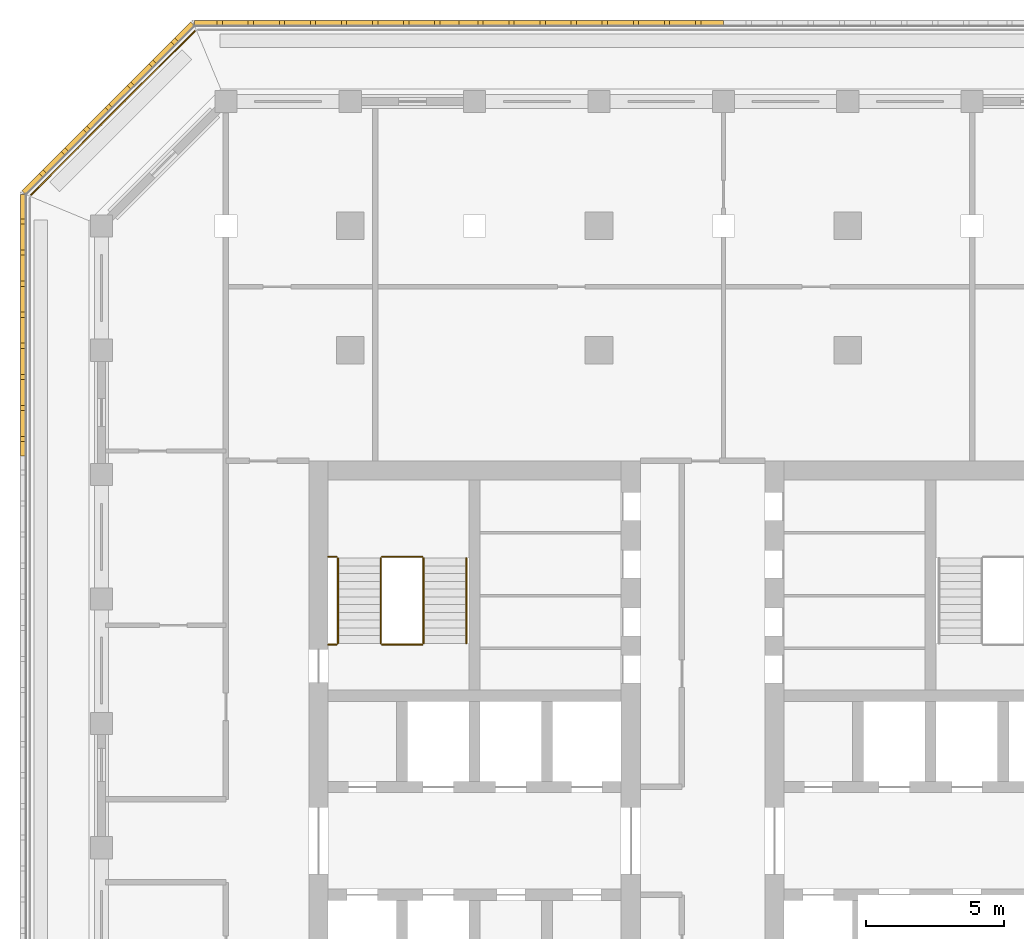
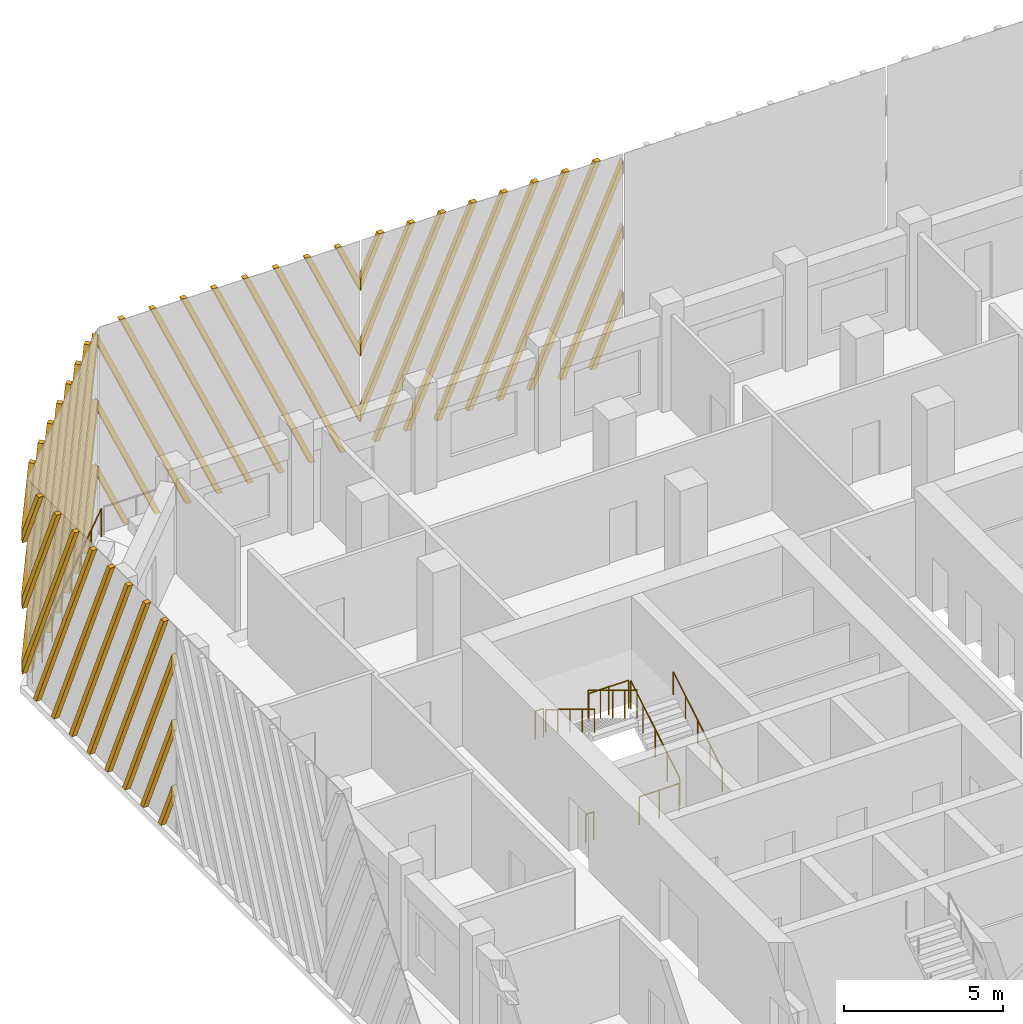
# One storey, part 14 of 17: 9 railings, 4 shading devices.
"""IFC4 building model written with IfcOpenShell, lengths in metres."""

from ifc_helpers import new_model, si_unit, direction, frame, origin, origin_2d, place, context, subcontext, project, spatial, polyline, circle, outline, extrude, source, transform, mapped, material, type_object, element, save


model = new_model("IFC4")

# Units and contexts
model_context = context("Model", 3, precision=1e-05, world=origin(), true_north=direction((0.0, 1.0)))
body_context = subcontext(model_context, "Body", "Model", "MODEL_VIEW")
ifc_project = project(units=[si_unit("LENGTHUNIT", "METRE"), si_unit("AREAUNIT", "SQUARE_METRE"), si_unit("VOLUMEUNIT", "CUBIC_METRE"), si_unit("PLANEANGLEUNIT", "RADIAN"), si_unit("MASSUNIT", "GRAM", prefix="KILO")], contexts=[model_context])

# Site, building, storey
site_placement = place(None, origin())
site = spatial("IfcSite", under=ifc_project, at=site_placement, CompositionType="ELEMENT")
building_placement = place(site_placement, origin())
building = spatial("IfcBuilding", under=site, at=building_placement, Name="Corbel Stack Research Tower", CompositionType="ELEMENT")
storey_placement = place(building_placement, frame((0.0, 0.0, 231.60009765625)))
storey = spatial("IfcBuildingStorey", under=building, at=storey_placement, Name="L52", CompositionType="ELEMENT", Elevation=231.60009765625)

# Railings
ifc_material_1 = material(Name="Steel S355", Category="steel")
railing_type_1 = type_object("IfcRailingType", Name="Stair guard 1100", PredefinedType="GUARDRAIL", material=ifc_material_1)
railing_1_placement = place(storey_placement, frame((-6.35009765625, 11.89990234375, 0.170654296875)))
element("IfcRailing", 1, at=railing_1_placement, inside=storey, type_object=railing_type_1, Name="L52 ST-W2 stair guard 1", PredefinedType="GUARDRAIL", context=body_context, shape_type="SweptSolid", body=[
    extrude(circle(Radius=0.02392578125, at=origin_2d()), frame((0.0, 0.0, 1.076171875), z_axis=(0.0, 0.853666305674, 0.52082035152), x_axis=(-1.0, 0.0, 0.0)), (0.0, 0.0, 1.0), 3.608154296875),
    extrude(circle(Radius=0.02099609375, at=origin_2d()), origin(), (0.0, 0.0, 1.0), 1.052001953125),
    extrude(circle(Radius=0.02099609375, at=origin_2d()), frame((0.0, 0.77001953125, 0.4697265625)), (0.0, 0.0, 1.0), 1.052001953125),
    extrude(circle(Radius=0.02099609375, at=origin_2d()), frame((0.0, 1.5400390625, 0.939453125)), (0.0, 0.0, 1.0), 1.052001953125),
    extrude(circle(Radius=0.02099609375, at=origin_2d()), frame((0.0, 2.31005859375, 1.409423828125)), (0.0, 0.0, 1.0), 1.052001953125),
    extrude(circle(Radius=0.02099609375, at=origin_2d()), frame((0.0, 3.080078125, 1.879150390625)), (0.0, 0.0, 1.0), 1.052001953125),
])
railing_2_placement = place(storey_placement, frame((-6.39990234375, 15.030029296875, 2.0498046875)))
element("IfcRailing", 2, at=railing_2_placement, inside=storey, type_object=railing_type_1, Name="L52 ST-W2 stair guard 2", PredefinedType="GUARDRAIL", context=body_context, shape_type="SweptSolid", body=[
    extrude(circle(Radius=0.02392578125, at=origin_2d()), frame((0.0, 0.0, 1.076171875), z_axis=(-1.0, 0.0, 0.0), x_axis=(0.0, -1.0, 0.0)), (0.0, 0.0, 1.0), 1.4501953125),
    extrude(circle(Radius=0.02099609375, at=origin_2d()), origin(), (0.0, 0.0, 1.0), 1.052001953125),
    extrude(circle(Radius=0.02099609375, at=origin_2d()), frame((-0.72509765625, 0.0, 0.0)), (0.0, 0.0, 1.0), 1.052001953125),
    extrude(circle(Radius=0.02099609375, at=origin_2d()), frame((-1.4501953125, 0.0, 0.0)), (0.0, 0.0, 1.0), 1.052001953125),
])
railing_3_placement = place(storey_placement, frame((-9.5, 15.030029296875, 2.0498046875)))
element("IfcRailing", 3, at=railing_3_placement, inside=storey, type_object=railing_type_1, Name="L52 ST-W2 stair guard 3", PredefinedType="GUARDRAIL", context=body_context, shape_type="SweptSolid", body=[
    extrude(circle(Radius=0.02392578125, at=origin_2d()), frame((0.0, 0.0, 1.076171875), z_axis=(-1.0, 0.0, 0.0), x_axis=(0.0, -1.0, 0.0)), (0.0, 0.0, 1.0), 0.300048828125),
    extrude(circle(Radius=0.02099609375, at=origin_2d()), origin(), (0.0, 0.0, 1.0), 1.052001953125),
    extrude(circle(Radius=0.02099609375, at=origin_2d()), frame((-0.300048828125, 0.0, 0.0)), (0.0, 0.0, 1.0), 1.052001953125),
])
railing_4_placement = place(storey_placement, frame((-7.89990234375, 14.97998046875, 2.220703125)))
element("IfcRailing", 4, at=railing_4_placement, inside=storey, type_object=railing_type_1, Name="L52 ST-W2 stair guard 4", PredefinedType="GUARDRAIL", context=body_context, shape_type="SweptSolid", body=[
    extrude(circle(Radius=0.02392578125, at=origin_2d()), frame((0.0, 0.0, 1.076171875), z_axis=(0.0, -0.853666305674, 0.52082035152), x_axis=(1.0, 0.0, 0.0)), (0.0, 0.0, 1.0), 3.608154296875),
    extrude(circle(Radius=0.02099609375, at=origin_2d()), origin(), (0.0, 0.0, 1.0), 1.052001953125),
    extrude(circle(Radius=0.02099609375, at=origin_2d()), frame((0.0, -0.77001953125, 0.4697265625)), (0.0, 0.0, 1.0), 1.052001953125),
    extrude(circle(Radius=0.02099609375, at=origin_2d()), frame((0.0, -1.5400390625, 0.939453125)), (0.0, 0.0, 1.0), 1.052001953125),
    extrude(circle(Radius=0.02099609375, at=origin_2d()), frame((0.0, -2.31005859375, 1.409423828125)), (0.0, 0.0, 1.0), 1.052001953125),
    extrude(circle(Radius=0.02099609375, at=origin_2d()), frame((0.0, -3.080078125, 1.879150390625)), (0.0, 0.0, 1.0), 1.052001953125),
])
railing_5_placement = place(storey_placement, frame((-6.39990234375, 11.85009765625, 0.0)))
element("IfcRailing", 5, at=railing_5_placement, inside=storey, type_object=railing_type_1, Name="L52 ST-W2 stair guard 5", PredefinedType="GUARDRAIL", context=body_context, shape_type="SweptSolid", body=[
    extrude(circle(Radius=0.02392578125, at=origin_2d()), frame((0.0, 0.0, 1.076171875), z_axis=(-1.0, 0.0, 0.0), x_axis=(0.0, -1.0, 0.0)), (0.0, 0.0, 1.0), 1.4501953125),
    extrude(circle(Radius=0.02099609375, at=origin_2d()), origin(), (0.0, 0.0, 1.0), 1.052001953125),
    extrude(circle(Radius=0.02099609375, at=origin_2d()), frame((-0.72509765625, 0.0, 0.0)), (0.0, 0.0, 1.0), 1.052001953125),
    extrude(circle(Radius=0.02099609375, at=origin_2d()), frame((-1.4501953125, 0.0, 0.0)), (0.0, 0.0, 1.0), 1.052001953125),
])
railing_6_placement = place(storey_placement, frame((-9.5, 11.85009765625, 0.0)))
element("IfcRailing", 6, at=railing_6_placement, inside=storey, type_object=railing_type_1, Name="L52 ST-W2 stair guard 6", PredefinedType="GUARDRAIL", context=body_context, shape_type="SweptSolid", body=[
    extrude(circle(Radius=0.02392578125, at=origin_2d()), frame((0.0, 0.0, 1.076171875), z_axis=(-1.0, 0.0, 0.0), x_axis=(0.0, -1.0, 0.0)), (0.0, 0.0, 1.0), 0.300048828125),
    extrude(circle(Radius=0.02099609375, at=origin_2d()), origin(), (0.0, 0.0, 1.0), 1.052001953125),
    extrude(circle(Radius=0.02099609375, at=origin_2d()), frame((-0.300048828125, 0.0, 0.0)), (0.0, 0.0, 1.0), 1.052001953125),
])
ifc_material_2 = material(Name="Steel S355", Category="steel")
railing_type_2 = type_object("IfcRailingType", Name="Stair handrail 900", PredefinedType="HANDRAIL", material=ifc_material_2)
railing_7_placement = place(storey_placement, frame((-4.800048828125, 11.89990234375, 0.170654296875)))
element("IfcRailing", 7, at=railing_7_placement, inside=storey, type_object=railing_type_2, Name="L52 ST-W2 stair handrail 1", PredefinedType="HANDRAIL", context=body_context, shape_type="SweptSolid", body=[
    extrude(circle(Radius=0.02392578125, at=origin_2d()), frame((0.0, 0.0, 0.8759765625), z_axis=(0.0, 0.853666305674, 0.52082035152), x_axis=(-1.0, 0.0, 0.0)), (0.0, 0.0, 1.0), 3.608154296875),
    extrude(circle(Radius=0.02099609375, at=origin_2d()), origin(), (0.0, 0.0, 1.0), 0.851806640625),
    extrude(circle(Radius=0.02099609375, at=origin_2d()), frame((0.0, 0.77001953125, 0.4697265625)), (0.0, 0.0, 1.0), 0.851806640625),
    extrude(circle(Radius=0.02099609375, at=origin_2d()), frame((0.0, 1.5400390625, 0.939453125)), (0.0, 0.0, 1.0), 0.851806640625),
    extrude(circle(Radius=0.02099609375, at=origin_2d()), frame((0.0, 2.31005859375, 1.409423828125)), (0.0, 0.0, 1.0), 0.851806640625),
    extrude(circle(Radius=0.02099609375, at=origin_2d()), frame((0.0, 3.080078125, 1.879150390625)), (0.0, 0.0, 1.0), 0.851806640625),
])
railing_8_placement = place(storey_placement, frame((-9.449951171875, 14.97998046875, 2.220703125)))
element("IfcRailing", 8, at=railing_8_placement, inside=storey, type_object=railing_type_2, Name="L52 ST-W2 stair handrail 2", PredefinedType="HANDRAIL", context=body_context, shape_type="SweptSolid", body=[
    extrude(circle(Radius=0.02392578125, at=origin_2d()), frame((0.0, 0.0, 0.8759765625), z_axis=(0.0, -0.853666305674, 0.52082035152), x_axis=(1.0, 0.0, 0.0)), (0.0, 0.0, 1.0), 3.608154296875),
    extrude(circle(Radius=0.02099609375, at=origin_2d()), origin(), (0.0, 0.0, 1.0), 0.851806640625),
    extrude(circle(Radius=0.02099609375, at=origin_2d()), frame((0.0, -0.77001953125, 0.4697265625)), (0.0, 0.0, 1.0), 0.851806640625),
    extrude(circle(Radius=0.02099609375, at=origin_2d()), frame((0.0, -1.5400390625, 0.939453125)), (0.0, 0.0, 1.0), 0.851806640625),
    extrude(circle(Radius=0.02099609375, at=origin_2d()), frame((0.0, -2.31005859375, 1.409423828125)), (0.0, 0.0, 1.0), 0.851806640625),
    extrude(circle(Radius=0.02099609375, at=origin_2d()), frame((0.0, -3.080078125, 1.879150390625)), (0.0, 0.0, 1.0), 0.851806640625),
])
ifc_material_3 = material(Name="Powder-coated steel guard", Category="steel")
railing_type_3 = type_object("IfcRailingType", Name="Steel and glass guard 1100", PredefinedType="GUARDRAIL", material=ifc_material_3)
railing_9_placement = place(storey_placement, frame((-14.627685546875, 34.04931640625, 0.0)))
element("IfcRailing", 9, at=railing_9_placement, inside=storey, type_object=railing_type_3, Name="Loggia guard L52 NW", PredefinedType="GUARDRAIL", context=body_context, shape_type="SweptSolid", body=[
    extrude(circle(Radius=0.02392578125, at=origin_2d()), frame((0.0, 0.0, 1.076171875), z_axis=(-0.707106781187, -0.707106781187, 0.0), x_axis=(0.707106781187, -0.707106781187, 0.0)), (0.0, 0.0, 1.0), 8.37451171875),
    extrude(circle(Radius=0.02099609375, at=origin_2d()), origin(), (0.0, 0.0, 1.0), 1.052001953125),
    extrude(circle(Radius=0.02099609375, at=origin_2d()), frame((-0.845947265625, -0.845947265625, 0.0)), (0.0, 0.0, 1.0), 1.052001953125),
    extrude(circle(Radius=0.02099609375, at=origin_2d()), frame((-1.69189453125, -1.69189453125, 0.0)), (0.0, 0.0, 1.0), 1.052001953125),
    extrude(circle(Radius=0.02099609375, at=origin_2d()), frame((-2.537841796875, -2.537841796875, 0.0)), (0.0, 0.0, 1.0), 1.052001953125),
    extrude(circle(Radius=0.02099609375, at=origin_2d()), frame((-3.3837890625, -3.3837890625, 0.0)), (0.0, 0.0, 1.0), 1.052001953125),
    extrude(circle(Radius=0.02099609375, at=origin_2d()), frame((-4.229736328125, -4.229736328125, 0.0)), (0.0, 0.0, 1.0), 1.052001953125),
    extrude(circle(Radius=0.02099609375, at=origin_2d()), frame((-5.07568359375, -5.07568359375, 0.0)), (0.0, 0.0, 1.0), 1.052001953125),
    extrude(circle(Radius=0.02099609375, at=origin_2d()), frame((-5.921630859375, -5.921630859375, 0.0)), (0.0, 0.0, 1.0), 1.052001953125),
])

# Shading devices
ifc_material_4 = material(Name="Precast terracotta", Category="masonry")
shading_device_type = type_object("IfcShadingDeviceType", Name="Terracotta screen panel", PredefinedType="USERDEFINED", material=ifc_material_4)
shared_shape_1 = source(origin(), body_context, "Body", "SweptSolid", [
    extrude(outline(polyline([(1.072998046875, 7.949951171875), (0.883056640625, 7.949951171875), (0.0, 5.966552734375), (0.0, 5.539794921875), (1.072998046875, 7.949951171875)])), frame((0.0, 0.0, 0.0), z_axis=(0.0, -1.0, 0.0), x_axis=(1.0, 0.0, 0.0)), (0.0, 0.0, 1.0), 0.179931640625),
    extrude(outline(polyline([(2.197998046875, 7.949951171875), (2.008056640625, 7.949951171875), (0.0, 3.439697265625), (0.0, 3.01318359375), (2.197998046875, 7.949951171875)])), frame((0.0, 0.0, 0.0), z_axis=(0.0, -1.0, 0.0), x_axis=(1.0, 0.0, 0.0)), (0.0, 0.0, 1.0), 0.179931640625),
    extrude(outline(polyline([(3.322998046875, 7.949951171875), (3.133056640625, 7.949951171875), (0.0, 0.9130859375), (0.0, 0.486328125), (3.322998046875, 7.949951171875)])), frame((0.0, 0.0, 0.0), z_axis=(0.0, -1.0, 0.0), x_axis=(1.0, 0.0, 0.0)), (0.0, 0.0, 1.0), 0.179931640625),
    extrude(outline(polyline([(0.908447265625, 0.0), (4.447998046875, 7.949951171875), (4.258056640625, 7.949951171875), (0.718505859375, 0.0), (0.908447265625, 0.0)])), frame((0.0, 0.0, 0.0), z_axis=(0.0, -1.0, 0.0), x_axis=(1.0, 0.0, 0.0)), (0.0, 0.0, 1.0), 0.179931640625),
    extrude(outline(polyline([(2.033447265625, 0.0), (5.572998046875, 7.949951171875), (5.383056640625, 7.949951171875), (1.843505859375, 0.0), (2.033447265625, 0.0)])), frame((0.0, 0.0, 0.0), z_axis=(0.0, -1.0, 0.0), x_axis=(1.0, 0.0, 0.0)), (0.0, 0.0, 1.0), 0.179931640625),
    extrude(outline(polyline([(3.158447265625, 0.0), (6.697998046875, 7.949951171875), (6.508056640625, 7.949951171875), (2.968505859375, 0.0), (3.158447265625, 0.0)])), frame((0.0, 0.0, 0.0), z_axis=(0.0, -1.0, 0.0), x_axis=(1.0, 0.0, 0.0)), (0.0, 0.0, 1.0), 0.179931640625),
    extrude(outline(polyline([(4.283447265625, 0.0), (7.822998046875, 7.949951171875), (7.633056640625, 7.949951171875), (4.093505859375, 0.0), (4.283447265625, 0.0)])), frame((0.0, 0.0, 0.0), z_axis=(0.0, -1.0, 0.0), x_axis=(1.0, 0.0, 0.0)), (0.0, 0.0, 1.0), 0.179931640625),
    extrude(outline(polyline([(5.408447265625, 0.0), (8.947998046875, 7.949951171875), (8.758056640625, 7.949951171875), (5.218505859375, 0.0), (5.408447265625, 0.0)])), frame((0.0, 0.0, 0.0), z_axis=(0.0, -1.0, 0.0), x_axis=(1.0, 0.0, 0.0)), (0.0, 0.0, 1.0), 0.179931640625),
    extrude(outline(polyline([(6.533447265625, 0.0), (9.45556640625, 6.563232421875), (9.45556640625, 6.989990234375), (6.343505859375, 0.0), (6.533447265625, 0.0)])), frame((0.0, 0.0, 0.0), z_axis=(0.0, -1.0, 0.0), x_axis=(1.0, 0.0, 0.0)), (0.0, 0.0, 1.0), 0.179931640625),
    extrude(outline(polyline([(7.658447265625, 0.0), (9.45556640625, 4.036376953125), (9.45556640625, 4.463134765625), (7.468505859375, 0.0), (7.658447265625, 0.0)])), frame((0.0, 0.0, 0.0), z_axis=(0.0, -1.0, 0.0), x_axis=(1.0, 0.0, 0.0)), (0.0, 0.0, 1.0), 0.179931640625),
    extrude(outline(polyline([(8.783447265625, 0.0), (9.45556640625, 1.509521484375), (9.45556640625, 1.936279296875), (8.593505859375, 0.0), (8.783447265625, 0.0)])), frame((0.0, 0.0, 0.0), z_axis=(0.0, -1.0, 0.0), x_axis=(1.0, 0.0, 0.0)), (0.0, 0.0, 1.0), 0.179931640625),
])
shading_device_1_placement = place(storey_placement, frame((-20.75, 28.13916015625, 0.0), z_axis=(0.0, 0.0, 1.0), x_axis=(0.0, -1.0, 0.0)))
element("IfcShadingDevice", 10, at=shading_device_1_placement, inside=storey, type_object=shading_device_type, Name="Terracotta screen L52 W1", ObjectType="SCREEN", PredefinedType="USERDEFINED", context=body_context, shape_type="MappedRepresentation", body=[
    mapped(shared_shape_1, transform((0.0, 0.0, 0.0))),
])
shared_shape_2 = source(origin(), body_context, "Body", "SweptSolid", [
    extrude(outline(polyline([(1.173583984375, 0.0), (0.0, 2.635986328125), (0.0, 2.209228515625), (0.983642578125, 0.0), (1.173583984375, 0.0)])), frame((0.0, 0.0, 0.0), z_axis=(0.0, -1.0, 0.0), x_axis=(1.0, 0.0, 0.0)), (0.0, 0.0, 1.0), 0.179931640625),
    extrude(outline(polyline([(2.298583984375, 0.0), (0.0, 5.162841796875), (0.0, 4.736083984375), (2.108642578125, 0.0), (2.298583984375, 0.0)])), frame((0.0, 0.0, 0.0), z_axis=(0.0, -1.0, 0.0), x_axis=(1.0, 0.0, 0.0)), (0.0, 0.0, 1.0), 0.179931640625),
    extrude(outline(polyline([(3.423583984375, 0.0), (0.0, 7.689697265625), (0.0, 7.262939453125), (3.233642578125, 0.0), (3.423583984375, 0.0)])), frame((0.0, 0.0, 0.0), z_axis=(0.0, -1.0, 0.0), x_axis=(1.0, 0.0, 0.0)), (0.0, 0.0, 1.0), 0.179931640625),
    extrude(outline(polyline([(4.548583984375, 0.0), (1.009033203125, 7.949951171875), (0.819091796875, 7.949951171875), (4.358642578125, 0.0), (4.548583984375, 0.0)])), frame((0.0, 0.0, 0.0), z_axis=(0.0, -1.0, 0.0), x_axis=(1.0, 0.0, 0.0)), (0.0, 0.0, 1.0), 0.179931640625),
    extrude(outline(polyline([(5.673583984375, 0.0), (2.134033203125, 7.949951171875), (1.944091796875, 7.949951171875), (5.483642578125, 0.0), (5.673583984375, 0.0)])), frame((0.0, 0.0, 0.0), z_axis=(0.0, -1.0, 0.0), x_axis=(1.0, 0.0, 0.0)), (0.0, 0.0, 1.0), 0.179931640625),
    extrude(outline(polyline([(6.798583984375, 0.0), (3.259033203125, 7.949951171875), (3.069091796875, 7.949951171875), (6.608642578125, 0.0), (6.798583984375, 0.0)])), frame((0.0, 0.0, 0.0), z_axis=(0.0, -1.0, 0.0), x_axis=(1.0, 0.0, 0.0)), (0.0, 0.0, 1.0), 0.179931640625),
    extrude(outline(polyline([(7.923583984375, 0.0), (4.384033203125, 7.949951171875), (4.194091796875, 7.949951171875), (7.733642578125, 0.0), (7.923583984375, 0.0)])), frame((0.0, 0.0, 0.0), z_axis=(0.0, -1.0, 0.0), x_axis=(1.0, 0.0, 0.0)), (0.0, 0.0, 1.0), 0.179931640625),
    extrude(outline(polyline([(9.048583984375, 0.0), (5.509033203125, 7.949951171875), (5.319091796875, 7.949951171875), (8.858642578125, 0.0), (9.048583984375, 0.0)])), frame((0.0, 0.0, 0.0), z_axis=(0.0, -1.0, 0.0), x_axis=(1.0, 0.0, 0.0)), (0.0, 0.0, 1.0), 0.179931640625),
    extrude(outline(polyline([(6.634033203125, 7.949951171875), (6.444091796875, 7.949951171875), (9.569580078125, 0.93017578125), (9.569580078125, 1.356689453125), (6.634033203125, 7.949951171875)])), frame((0.0, 0.0, 0.0), z_axis=(0.0, -1.0, 0.0), x_axis=(1.0, 0.0, 0.0)), (0.0, 0.0, 1.0), 0.179931640625),
    extrude(outline(polyline([(7.759033203125, 7.949951171875), (7.569091796875, 7.949951171875), (9.569580078125, 3.456787109375), (9.569580078125, 3.883544921875), (7.759033203125, 7.949951171875)])), frame((0.0, 0.0, 0.0), z_axis=(0.0, -1.0, 0.0), x_axis=(1.0, 0.0, 0.0)), (0.0, 0.0, 1.0), 0.179931640625),
    extrude(outline(polyline([(8.884033203125, 7.949951171875), (8.694091796875, 7.949951171875), (9.569580078125, 5.983642578125), (9.569580078125, 6.410400390625), (8.884033203125, 7.949951171875)])), frame((0.0, 0.0, 0.0), z_axis=(0.0, -1.0, 0.0), x_axis=(1.0, 0.0, 0.0)), (0.0, 0.0, 1.0), 0.179931640625),
])
shading_device_2_placement = place(storey_placement, frame((4.5, 34.25, 0.0), z_axis=(0.0, 0.0, 1.0), x_axis=(-1.0, 0.0, 0.0)))
element("IfcShadingDevice", 11, at=shading_device_2_placement, inside=storey, type_object=shading_device_type, Name="Terracotta screen L52 N3", ObjectType="SCREEN", PredefinedType="USERDEFINED", context=body_context, shape_type="MappedRepresentation", body=[
    mapped(shared_shape_2, transform((0.0, 0.0, 0.0))),
])
shared_shape_3 = source(origin(), body_context, "Body", "SweptSolid", [
    extrude(outline(polyline([(0.87548828125, 7.949951171875), (0.685546875, 7.949951171875), (0.0, 6.410400390625), (0.0, 5.983642578125), (0.87548828125, 7.949951171875)])), frame((0.0, 0.0, 0.0), z_axis=(0.0, -1.0, 0.0), x_axis=(1.0, 0.0, 0.0)), (0.0, 0.0, 1.0), 0.179931640625),
    extrude(outline(polyline([(2.00048828125, 7.949951171875), (1.810546875, 7.949951171875), (0.0, 3.883544921875), (0.0, 3.456787109375), (2.00048828125, 7.949951171875)])), frame((0.0, 0.0, 0.0), z_axis=(0.0, -1.0, 0.0), x_axis=(1.0, 0.0, 0.0)), (0.0, 0.0, 1.0), 0.179931640625),
    extrude(outline(polyline([(3.12548828125, 7.949951171875), (2.935546875, 7.949951171875), (0.0, 1.356689453125), (0.0, 0.93017578125), (3.12548828125, 7.949951171875)])), frame((0.0, 0.0, 0.0), z_axis=(0.0, -1.0, 0.0), x_axis=(1.0, 0.0, 0.0)), (0.0, 0.0, 1.0), 0.179931640625),
    extrude(outline(polyline([(0.7109375, 0.0), (4.25048828125, 7.949951171875), (4.060546875, 7.949951171875), (0.52099609375, 0.0), (0.7109375, 0.0)])), frame((0.0, 0.0, 0.0), z_axis=(0.0, -1.0, 0.0), x_axis=(1.0, 0.0, 0.0)), (0.0, 0.0, 1.0), 0.179931640625),
    extrude(outline(polyline([(1.8359375, 0.0), (5.37548828125, 7.949951171875), (5.185546875, 7.949951171875), (1.64599609375, 0.0), (1.8359375, 0.0)])), frame((0.0, 0.0, 0.0), z_axis=(0.0, -1.0, 0.0), x_axis=(1.0, 0.0, 0.0)), (0.0, 0.0, 1.0), 0.179931640625),
    extrude(outline(polyline([(2.9609375, 0.0), (6.50048828125, 7.949951171875), (6.310546875, 7.949951171875), (2.77099609375, 0.0), (2.9609375, 0.0)])), frame((0.0, 0.0, 0.0), z_axis=(0.0, -1.0, 0.0), x_axis=(1.0, 0.0, 0.0)), (0.0, 0.0, 1.0), 0.179931640625),
    extrude(outline(polyline([(4.0859375, 0.0), (7.62548828125, 7.949951171875), (7.435546875, 7.949951171875), (3.89599609375, 0.0), (4.0859375, 0.0)])), frame((0.0, 0.0, 0.0), z_axis=(0.0, -1.0, 0.0), x_axis=(1.0, 0.0, 0.0)), (0.0, 0.0, 1.0), 0.179931640625),
    extrude(outline(polyline([(5.2109375, 0.0), (8.75048828125, 7.949951171875), (8.560546875, 7.949951171875), (5.02099609375, 0.0), (5.2109375, 0.0)])), frame((0.0, 0.0, 0.0), z_axis=(0.0, -1.0, 0.0), x_axis=(1.0, 0.0, 0.0)), (0.0, 0.0, 1.0), 0.179931640625),
    extrude(outline(polyline([(6.3359375, 0.0), (9.569580078125, 7.262939453125), (9.569580078125, 7.689697265625), (6.14599609375, 0.0), (6.3359375, 0.0)])), frame((0.0, 0.0, 0.0), z_axis=(0.0, -1.0, 0.0), x_axis=(1.0, 0.0, 0.0)), (0.0, 0.0, 1.0), 0.179931640625),
    extrude(outline(polyline([(7.4609375, 0.0), (9.569580078125, 4.736083984375), (9.569580078125, 5.162841796875), (7.27099609375, 0.0), (7.4609375, 0.0)])), frame((0.0, 0.0, 0.0), z_axis=(0.0, -1.0, 0.0), x_axis=(1.0, 0.0, 0.0)), (0.0, 0.0, 1.0), 0.179931640625),
    extrude(outline(polyline([(8.5859375, 0.0), (9.569580078125, 2.209228515625), (9.569580078125, 2.635986328125), (8.39599609375, 0.0), (8.5859375, 0.0)])), frame((0.0, 0.0, 0.0), z_axis=(0.0, -1.0, 0.0), x_axis=(1.0, 0.0, 0.0)), (0.0, 0.0, 1.0), 0.179931640625),
])
shading_device_3_placement = place(storey_placement, frame((-5.069580078125, 34.25, 0.0), z_axis=(0.0, 0.0, 1.0), x_axis=(-1.0, 0.0, 0.0)))
element("IfcShadingDevice", 12, at=shading_device_3_placement, inside=storey, type_object=shading_device_type, Name="Terracotta screen L52 N4", ObjectType="SCREEN", PredefinedType="USERDEFINED", context=body_context, shape_type="MappedRepresentation", body=[
    mapped(shared_shape_3, transform((0.0, 0.0, 0.0))),
])
shared_shape_4 = source(origin(), body_context, "Body", "SweptSolid", [
    extrude(outline(polyline([(1.173583984375, 0.0), (0.0, 2.635986328125), (0.0, 2.209228515625), (0.983642578125, 0.0), (1.173583984375, 0.0)])), frame((0.0, 0.0, 0.0), z_axis=(0.0, -1.0, 0.0), x_axis=(1.0, 0.0, 0.0)), (0.0, 0.0, 1.0), 0.179931640625),
    extrude(outline(polyline([(2.298583984375, 0.0), (0.0, 5.162841796875), (0.0, 4.736083984375), (2.108642578125, 0.0), (2.298583984375, 0.0)])), frame((0.0, 0.0, 0.0), z_axis=(0.0, -1.0, 0.0), x_axis=(1.0, 0.0, 0.0)), (0.0, 0.0, 1.0), 0.179931640625),
    extrude(outline(polyline([(3.423583984375, 0.0), (0.0, 7.689697265625), (0.0, 7.262939453125), (3.233642578125, 0.0), (3.423583984375, 0.0)])), frame((0.0, 0.0, 0.0), z_axis=(0.0, -1.0, 0.0), x_axis=(1.0, 0.0, 0.0)), (0.0, 0.0, 1.0), 0.179931640625),
    extrude(outline(polyline([(4.548583984375, 0.0), (1.009033203125, 7.949951171875), (0.819091796875, 7.949951171875), (4.358642578125, 0.0), (4.548583984375, 0.0)])), frame((0.0, 0.0, 0.0), z_axis=(0.0, -1.0, 0.0), x_axis=(1.0, 0.0, 0.0)), (0.0, 0.0, 1.0), 0.179931640625),
    extrude(outline(polyline([(5.673583984375, 0.0), (2.134033203125, 7.949951171875), (1.944091796875, 7.949951171875), (5.483642578125, 0.0), (5.673583984375, 0.0)])), frame((0.0, 0.0, 0.0), z_axis=(0.0, -1.0, 0.0), x_axis=(1.0, 0.0, 0.0)), (0.0, 0.0, 1.0), 0.179931640625),
    extrude(outline(polyline([(6.798583984375, 0.0), (3.259033203125, 7.949951171875), (3.069091796875, 7.949951171875), (6.608642578125, 0.0), (6.798583984375, 0.0)])), frame((0.0, 0.0, 0.0), z_axis=(0.0, -1.0, 0.0), x_axis=(1.0, 0.0, 0.0)), (0.0, 0.0, 1.0), 0.179931640625),
    extrude(outline(polyline([(7.923583984375, 0.0), (4.384033203125, 7.949951171875), (4.194091796875, 7.949951171875), (7.733642578125, 0.0), (7.923583984375, 0.0)])), frame((0.0, 0.0, 0.0), z_axis=(0.0, -1.0, 0.0), x_axis=(1.0, 0.0, 0.0)), (0.0, 0.0, 1.0), 0.179931640625),
    extrude(outline(polyline([(5.509033203125, 7.949951171875), (5.319091796875, 7.949951171875), (8.64208984375, 0.486328125), (8.64208984375, 0.9130859375), (5.509033203125, 7.949951171875)])), frame((0.0, 0.0, 0.0), z_axis=(0.0, -1.0, 0.0), x_axis=(1.0, 0.0, 0.0)), (0.0, 0.0, 1.0), 0.179931640625),
    extrude(outline(polyline([(6.634033203125, 7.949951171875), (6.444091796875, 7.949951171875), (8.64208984375, 3.01318359375), (8.64208984375, 3.439697265625), (6.634033203125, 7.949951171875)])), frame((0.0, 0.0, 0.0), z_axis=(0.0, -1.0, 0.0), x_axis=(1.0, 0.0, 0.0)), (0.0, 0.0, 1.0), 0.179931640625),
    extrude(outline(polyline([(7.759033203125, 7.949951171875), (7.569091796875, 7.949951171875), (8.64208984375, 5.539794921875), (8.64208984375, 5.966552734375), (7.759033203125, 7.949951171875)])), frame((0.0, 0.0, 0.0), z_axis=(0.0, -1.0, 0.0), x_axis=(1.0, 0.0, 0.0)), (0.0, 0.0, 1.0), 0.179931640625),
])
shading_device_4_placement = place(storey_placement, frame((-14.63916015625, 34.25, 0.0), z_axis=(0.0, 0.0, 1.0), x_axis=(-0.707106781187, -0.707106781187, 0.0)))
element("IfcShadingDevice", 13, at=shading_device_4_placement, inside=storey, type_object=shading_device_type, Name="Terracotta screen L52 NW1", ObjectType="SCREEN", PredefinedType="USERDEFINED", context=body_context, shape_type="MappedRepresentation", body=[
    mapped(shared_shape_4, transform((0.0, 0.0, 0.0))),
])

save(model, "model.ifc")
